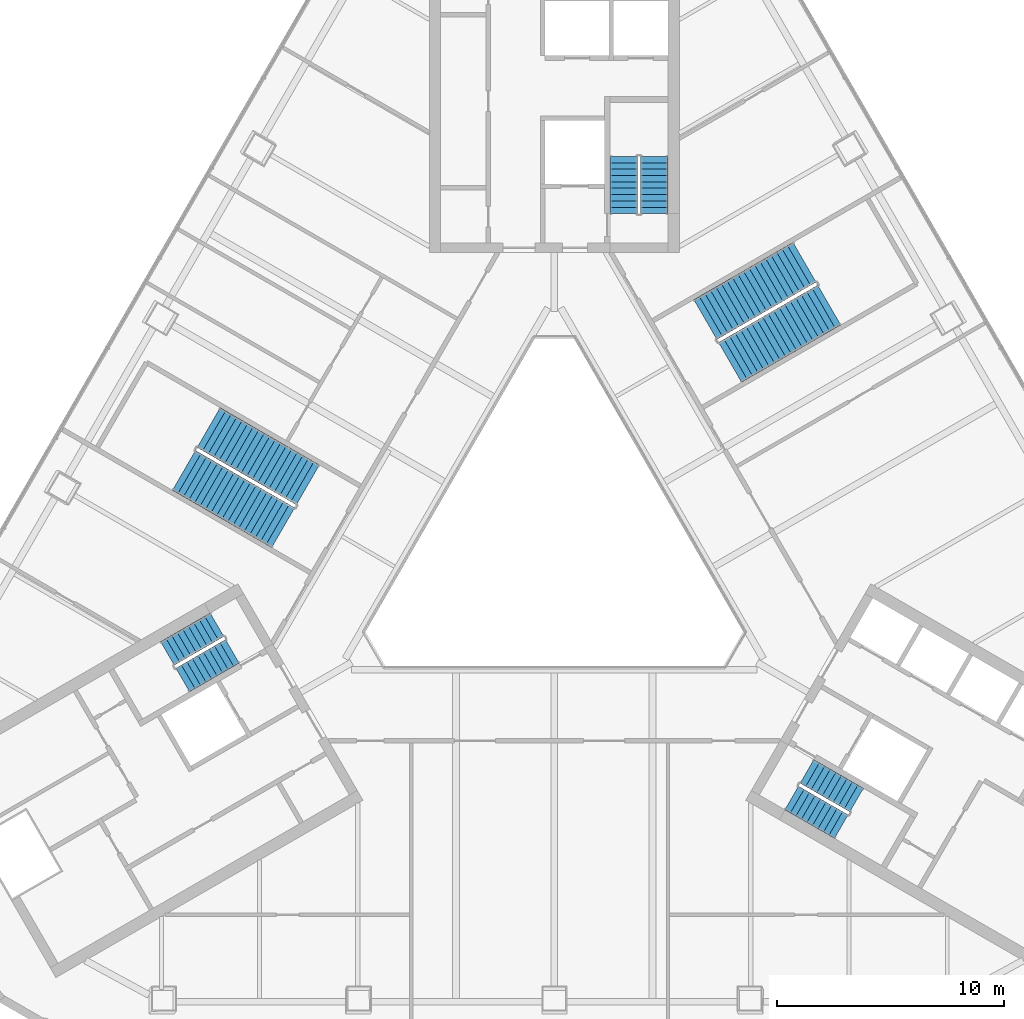
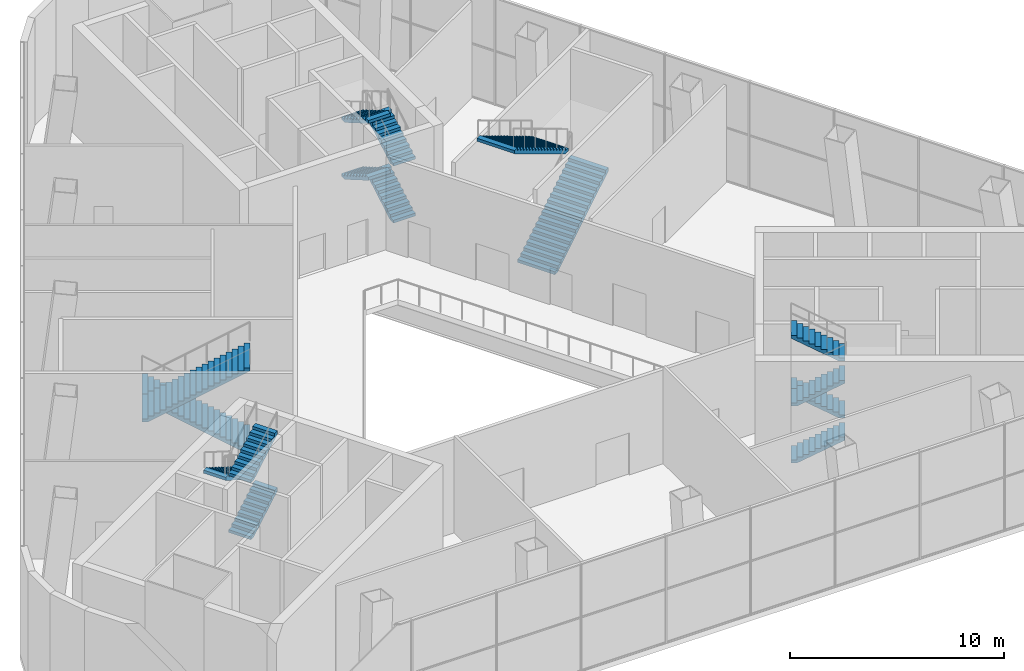
# One storey, part 14 of 17: 15 stair flights, 5 elements without a shape of their own.
"""IFC4 building model written with IfcOpenShell, lengths in metres."""

from ifc_helpers import new_model, si_unit, direction, frame, origin, place, context, subcontext, project, spatial, polyline, outline, extrude, material, type_object, element, aggregate, save


model = new_model("IFC4")

# Units and contexts
model_context = context("Model", 3, precision=1e-05, world=origin(), true_north=direction((0.0, 1.0)))
body_context = subcontext(model_context, "Body", "Model", "MODEL_VIEW")
ifc_project = project(units=[si_unit("LENGTHUNIT", "METRE"), si_unit("AREAUNIT", "SQUARE_METRE"), si_unit("VOLUMEUNIT", "CUBIC_METRE"), si_unit("PLANEANGLEUNIT", "RADIAN"), si_unit("MASSUNIT", "GRAM", prefix="KILO")], contexts=[model_context])

# Site, building, storey
site_placement = place(None, origin())
site = spatial("IfcSite", under=ifc_project, at=site_placement, CompositionType="ELEMENT")
building_placement = place(site_placement, origin())
building = spatial("IfcBuilding", under=site, at=building_placement, Name="Apuvela Tower Hotel", CompositionType="ELEMENT")
storey_placement = place(building_placement, frame((0.0, 0.0, 9.0)))
storey = spatial("IfcBuildingStorey", under=building, at=storey_placement, Name="L01", CompositionType="ELEMENT", Elevation=9.0)

# Stair, stair flights
ifc_material_1 = material(Name="Concrete C50/60", Category="concrete")
stair_type_1 = type_object("IfcStairType", Name="COR-STAIR-40R", PredefinedType="HALF_TURN_STAIR", material=ifc_material_1)
stair_1_placement = place(storey_placement, origin())
stair_1 = element("IfcStair", 1, at=stair_1_placement, inside=storey, type_object=stair_type_1, Name="L01 Exit stair ST1", PredefinedType="HALF_TURN_STAIR")
stair_flight_type_1 = type_object("IfcStairFlightType", Name="COR-FLIGHT-10R", PredefinedType="STRAIGHT", material=ifc_material_1)
stair_flight_1_placement = place(storey_placement, frame((4.39990234375, 14.60009765625, 0.0), z_axis=(0.0, 0.0, 1.0), x_axis=(0.0, 1.0, 0.0)))
stair_flight_1 = element("IfcStairFlight", 2, at=stair_flight_1_placement, type_object=stair_flight_type_1, Name="ST1 flight 1", NumberOfRisers=10, NumberOfTreads=9, PredefinedType="STRAIGHT", RiserHeight=0.1625, TreadLength=0.28, context=body_context, shape_type="SweptSolid", body=[
    extrude(outline(polyline([(0.0, 0.0), (0.0, 0.16259765625), (0.280029296875, 0.16259765625), (0.280029296875, 0.324951171875), (0.56005859375, 0.324951171875), (0.56005859375, 0.487548828125), (0.840087890625, 0.487548828125), (0.840087890625, 0.64990234375), (1.1201171875, 0.64990234375), (1.1201171875, 0.8125), (1.39990234375, 0.8125), (1.39990234375, 0.97509765625), (1.679931640625, 0.97509765625), (1.679931640625, 1.137451171875), (1.9599609375, 1.137451171875), (1.9599609375, 1.300048828125), (2.239990234375, 1.300048828125), (2.239990234375, 1.46240234375), (2.52001953125, 1.46240234375), (2.52001953125, 1.625), (2.52001953125, 1.2890625), (0.298583984375, 0.0), (0.0, 0.0)])), frame((0.0, 0.60009765625, 0.0), z_axis=(0.0, -1.0, 0.0), x_axis=(1.0, 0.0, 0.0)), (0.0, 0.0, 1.0), 1.199951171875),
])
stair_flight_2_placement = place(storey_placement, frame((3.050048828125, 17.1201171875, 1.625), z_axis=(0.0, 0.0, 1.0), x_axis=(0.0, -1.0, 0.0)))
stair_flight_2 = element("IfcStairFlight", 3, at=stair_flight_2_placement, type_object=stair_flight_type_1, Name="ST1 flight 2", NumberOfRisers=10, NumberOfTreads=9, PredefinedType="STRAIGHT", RiserHeight=0.1625, TreadLength=0.28, context=body_context, shape_type="SweptSolid", body=[
    extrude(outline(polyline([(0.0, 0.0), (0.0, 0.16259765625), (0.280029296875, 0.16259765625), (0.280029296875, 0.324951171875), (0.56005859375, 0.324951171875), (0.56005859375, 0.487548828125), (0.840087890625, 0.487548828125), (0.840087890625, 0.64990234375), (1.1201171875, 0.64990234375), (1.1201171875, 0.8125), (1.39990234375, 0.8125), (1.39990234375, 0.97509765625), (1.679931640625, 0.97509765625), (1.679931640625, 1.137451171875), (1.9599609375, 1.137451171875), (1.9599609375, 1.300048828125), (2.239990234375, 1.300048828125), (2.239990234375, 1.46240234375), (2.52001953125, 1.46240234375), (2.52001953125, 1.625), (2.52001953125, 1.2890625), (0.298583984375, 0.0), (0.0, 0.0)])), frame((0.0, 0.60009765625, 0.0), z_axis=(0.0, -1.0, 0.0), x_axis=(1.0, 0.0, 0.0)), (0.0, 0.0, 1.0), 1.199951171875),
])
stair_flight_3_placement = place(storey_placement, frame((4.39990234375, 14.60009765625, 3.25), z_axis=(0.0, 0.0, 1.0), x_axis=(0.0, 1.0, 0.0)))
stair_flight_3 = element("IfcStairFlight", 4, at=stair_flight_3_placement, type_object=stair_flight_type_1, Name="ST1 flight 3", NumberOfRisers=10, NumberOfTreads=9, PredefinedType="STRAIGHT", RiserHeight=0.1625, TreadLength=0.28, context=body_context, shape_type="SweptSolid", body=[
    extrude(outline(polyline([(0.0, 0.0), (0.0, 0.16259765625), (0.280029296875, 0.16259765625), (0.280029296875, 0.324951171875), (0.56005859375, 0.324951171875), (0.56005859375, 0.487548828125), (0.840087890625, 0.487548828125), (0.840087890625, 0.64990234375), (1.1201171875, 0.64990234375), (1.1201171875, 0.8125), (1.39990234375, 0.8125), (1.39990234375, 0.97509765625), (1.679931640625, 0.97509765625), (1.679931640625, 1.137451171875), (1.9599609375, 1.137451171875), (1.9599609375, 1.300048828125), (2.239990234375, 1.300048828125), (2.239990234375, 1.46240234375), (2.52001953125, 1.46240234375), (2.52001953125, 1.625), (2.52001953125, 1.2890625), (0.298583984375, 0.0), (0.0, 0.0)])), frame((0.0, 0.60009765625, 0.0), z_axis=(0.0, -1.0, 0.0), x_axis=(1.0, 0.0, 0.0)), (0.0, 0.0, 1.0), 1.199951171875),
])
stair_flight_4_placement = place(storey_placement, frame((3.050048828125, 17.1201171875, 4.875), z_axis=(0.0, 0.0, 1.0), x_axis=(0.0, -1.0, 0.0)))
stair_flight_4 = element("IfcStairFlight", 5, at=stair_flight_4_placement, type_object=stair_flight_type_1, Name="ST1 flight 4", NumberOfRisers=10, NumberOfTreads=9, PredefinedType="STRAIGHT", RiserHeight=0.1625, TreadLength=0.28, context=body_context, shape_type="SweptSolid", body=[
    extrude(outline(polyline([(0.0, 0.0), (0.0, 0.16259765625), (0.280029296875, 0.16259765625), (0.280029296875, 0.324951171875), (0.56005859375, 0.324951171875), (0.56005859375, 0.487548828125), (0.840087890625, 0.487548828125), (0.840087890625, 0.64990234375), (1.1201171875, 0.64990234375), (1.1201171875, 0.8125), (1.39990234375, 0.8125), (1.39990234375, 0.97509765625), (1.679931640625, 0.97509765625), (1.679931640625, 1.137451171875), (1.9599609375, 1.137451171875), (1.9599609375, 1.300048828125), (2.239990234375, 1.300048828125), (2.239990234375, 1.46240234375), (2.52001953125, 1.46240234375), (2.52001953125, 1.625), (2.52001953125, 1.2890625), (0.298583984375, 0.0), (0.0, 0.0)])), frame((0.0, 0.60009765625, 0.0), z_axis=(0.0, -1.0, 0.0), x_axis=(1.0, 0.0, 0.0)), (0.0, 0.0, 1.0), 1.199951171875),
])
aggregate(stair_1, [stair_flight_1, stair_flight_2, stair_flight_3, stair_flight_4])

stair_2_placement = place(storey_placement, origin())
stair_2 = element("IfcStair", 6, at=stair_2_placement, inside=storey, type_object=stair_type_1, Name="L01 Exit stair ST2", PredefinedType="HALF_TURN_STAIR")
stair_flight_5_placement = place(storey_placement, frame((-16.351318359375, -5.918701171875, 1.625), z_axis=(0.0, 0.0, 1.0), x_axis=(0.866025403784, 0.5, 0.0)))
stair_flight_5 = element("IfcStairFlight", 7, at=stair_flight_5_placement, type_object=stair_flight_type_1, Name="ST2 flight 2", NumberOfRisers=10, NumberOfTreads=9, PredefinedType="STRAIGHT", RiserHeight=0.1625, TreadLength=0.28, context=body_context, shape_type="SweptSolid", body=[
    extrude(outline(polyline([(0.0, 0.0), (0.0, 0.16259765625), (0.280029296875, 0.16259765625), (0.280029296875, 0.324951171875), (0.56005859375, 0.324951171875), (0.56005859375, 0.487548828125), (0.840087890625, 0.487548828125), (0.840087890625, 0.64990234375), (1.1201171875, 0.64990234375), (1.1201171875, 0.8125), (1.39990234375, 0.8125), (1.39990234375, 0.97509765625), (1.679931640625, 0.97509765625), (1.679931640625, 1.137451171875), (1.9599609375, 1.137451171875), (1.9599609375, 1.300048828125), (2.239990234375, 1.300048828125), (2.239990234375, 1.46240234375), (2.52001953125, 1.46240234375), (2.52001953125, 1.625), (2.52001953125, 1.2890625), (0.298583984375, 0.0), (0.0, 0.0)])), frame((0.0, 0.60009765625, 0.0), z_axis=(0.0, -1.0, 0.0), x_axis=(1.0, 0.0, 0.0)), (0.0, 0.0, 1.0), 1.199951171875),
])
stair_flight_6_placement = place(storey_placement, frame((-14.843994140625, -3.489501953125, 3.25), z_axis=(0.0, 0.0, 1.0), x_axis=(-0.866025403784, -0.5, 0.0)))
stair_flight_6 = element("IfcStairFlight", 8, at=stair_flight_6_placement, type_object=stair_flight_type_1, Name="ST2 flight 3", NumberOfRisers=10, NumberOfTreads=9, PredefinedType="STRAIGHT", RiserHeight=0.1625, TreadLength=0.28, context=body_context, shape_type="SweptSolid", body=[
    extrude(outline(polyline([(0.0, 0.0), (0.0, 0.16259765625), (0.280029296875, 0.16259765625), (0.280029296875, 0.324951171875), (0.56005859375, 0.324951171875), (0.56005859375, 0.487548828125), (0.840087890625, 0.487548828125), (0.840087890625, 0.64990234375), (1.1201171875, 0.64990234375), (1.1201171875, 0.8125), (1.39990234375, 0.8125), (1.39990234375, 0.97509765625), (1.679931640625, 0.97509765625), (1.679931640625, 1.137451171875), (1.9599609375, 1.137451171875), (1.9599609375, 1.300048828125), (2.239990234375, 1.300048828125), (2.239990234375, 1.46240234375), (2.52001953125, 1.46240234375), (2.52001953125, 1.625), (2.52001953125, 1.2890625), (0.298583984375, 0.0), (0.0, 0.0)])), frame((0.0, 0.60009765625, 0.0), z_axis=(0.0, -1.0, 0.0), x_axis=(1.0, 0.0, 0.0)), (0.0, 0.0, 1.0), 1.199951171875),
])
stair_flight_7_placement = place(storey_placement, frame((-16.351318359375, -5.918701171875, 4.875), z_axis=(0.0, 0.0, 1.0), x_axis=(0.866025403784, 0.5, 0.0)))
stair_flight_7 = element("IfcStairFlight", 9, at=stair_flight_7_placement, type_object=stair_flight_type_1, Name="ST2 flight 4", NumberOfRisers=10, NumberOfTreads=9, PredefinedType="STRAIGHT", RiserHeight=0.1625, TreadLength=0.28, context=body_context, shape_type="SweptSolid", body=[
    extrude(outline(polyline([(0.0, 0.0), (0.0, 0.16259765625), (0.280029296875, 0.16259765625), (0.280029296875, 0.324951171875), (0.56005859375, 0.324951171875), (0.56005859375, 0.487548828125), (0.840087890625, 0.487548828125), (0.840087890625, 0.64990234375), (1.1201171875, 0.64990234375), (1.1201171875, 0.8125), (1.39990234375, 0.8125), (1.39990234375, 0.97509765625), (1.679931640625, 0.97509765625), (1.679931640625, 1.137451171875), (1.9599609375, 1.137451171875), (1.9599609375, 1.300048828125), (2.239990234375, 1.300048828125), (2.239990234375, 1.46240234375), (2.52001953125, 1.46240234375), (2.52001953125, 1.625), (2.52001953125, 1.2890625), (0.298583984375, 0.0), (0.0, 0.0)])), frame((0.0, 0.60009765625, 0.0), z_axis=(0.0, -1.0, 0.0), x_axis=(1.0, 0.0, 0.0)), (0.0, 0.0, 1.0), 1.199951171875),
])
aggregate(stair_2, [stair_flight_5, stair_flight_6, stair_flight_7])

stair_3_placement = place(storey_placement, origin())
stair_3 = element("IfcStair", 10, at=stair_3_placement, inside=storey, type_object=stair_type_1, Name="L01 Exit stair ST3", PredefinedType="HALF_TURN_STAIR")
stair_flight_8_placement = place(storey_placement, frame((10.444091796875, -11.110595703125, 0.0), z_axis=(0.0, 0.0, 1.0), x_axis=(0.866025403784, -0.5, 0.0)))
stair_flight_8 = element("IfcStairFlight", 11, at=stair_flight_8_placement, type_object=stair_flight_type_1, Name="ST3 flight 1", NumberOfRisers=10, NumberOfTreads=9, PredefinedType="STRAIGHT", RiserHeight=0.1625, TreadLength=0.28, context=body_context, shape_type="SweptSolid", body=[
    extrude(outline(polyline([(0.0, 0.0), (0.0, 0.16259765625), (0.280029296875, 0.16259765625), (0.280029296875, 0.324951171875), (0.56005859375, 0.324951171875), (0.56005859375, 0.487548828125), (0.840087890625, 0.487548828125), (0.840087890625, 0.64990234375), (1.1201171875, 0.64990234375), (1.1201171875, 0.8125), (1.39990234375, 0.8125), (1.39990234375, 0.97509765625), (1.679931640625, 0.97509765625), (1.679931640625, 1.137451171875), (1.9599609375, 1.137451171875), (1.9599609375, 1.300048828125), (2.239990234375, 1.300048828125), (2.239990234375, 1.46240234375), (2.52001953125, 1.46240234375), (2.52001953125, 1.625), (2.52001953125, 1.2890625), (0.298583984375, 0.0), (0.0, 0.0)])), frame((0.0, 0.60009765625, 0.0), z_axis=(0.0, -1.0, 0.0), x_axis=(1.0, 0.0, 0.0)), (0.0, 0.0, 1.0), 1.199951171875),
])
stair_flight_9_placement = place(storey_placement, frame((13.30126953125, -11.201416015625, 1.625), z_axis=(0.0, 0.0, 1.0), x_axis=(-0.866025403784, 0.5, 0.0)))
stair_flight_9 = element("IfcStairFlight", 12, at=stair_flight_9_placement, type_object=stair_flight_type_1, Name="ST3 flight 2", NumberOfRisers=10, NumberOfTreads=9, PredefinedType="STRAIGHT", RiserHeight=0.1625, TreadLength=0.28, context=body_context, shape_type="SweptSolid", body=[
    extrude(outline(polyline([(0.0, 0.0), (0.0, 0.16259765625), (0.280029296875, 0.16259765625), (0.280029296875, 0.324951171875), (0.56005859375, 0.324951171875), (0.56005859375, 0.487548828125), (0.840087890625, 0.487548828125), (0.840087890625, 0.64990234375), (1.1201171875, 0.64990234375), (1.1201171875, 0.8125), (1.39990234375, 0.8125), (1.39990234375, 0.97509765625), (1.679931640625, 0.97509765625), (1.679931640625, 1.137451171875), (1.9599609375, 1.137451171875), (1.9599609375, 1.300048828125), (2.239990234375, 1.300048828125), (2.239990234375, 1.46240234375), (2.52001953125, 1.46240234375), (2.52001953125, 1.625), (2.52001953125, 1.2890625), (0.298583984375, 0.0), (0.0, 0.0)])), frame((0.0, 0.60009765625, 0.0), z_axis=(0.0, -1.0, 0.0), x_axis=(1.0, 0.0, 0.0)), (0.0, 0.0, 1.0), 1.199951171875),
])
stair_flight_10_placement = place(storey_placement, frame((10.444091796875, -11.110595703125, 3.25), z_axis=(0.0, 0.0, 1.0), x_axis=(0.866025403784, -0.5, 0.0)))
stair_flight_10 = element("IfcStairFlight", 13, at=stair_flight_10_placement, type_object=stair_flight_type_1, Name="ST3 flight 3", NumberOfRisers=10, NumberOfTreads=9, PredefinedType="STRAIGHT", RiserHeight=0.1625, TreadLength=0.28, context=body_context, shape_type="SweptSolid", body=[
    extrude(outline(polyline([(0.0, 0.0), (0.0, 0.16259765625), (0.280029296875, 0.16259765625), (0.280029296875, 0.324951171875), (0.56005859375, 0.324951171875), (0.56005859375, 0.487548828125), (0.840087890625, 0.487548828125), (0.840087890625, 0.64990234375), (1.1201171875, 0.64990234375), (1.1201171875, 0.8125), (1.39990234375, 0.8125), (1.39990234375, 0.97509765625), (1.679931640625, 0.97509765625), (1.679931640625, 1.137451171875), (1.9599609375, 1.137451171875), (1.9599609375, 1.300048828125), (2.239990234375, 1.300048828125), (2.239990234375, 1.46240234375), (2.52001953125, 1.46240234375), (2.52001953125, 1.625), (2.52001953125, 1.2890625), (0.298583984375, 0.0), (0.0, 0.0)])), frame((0.0, 0.60009765625, 0.0), z_axis=(0.0, -1.0, 0.0), x_axis=(1.0, 0.0, 0.0)), (0.0, 0.0, 1.0), 1.199951171875),
])
stair_flight_11_placement = place(storey_placement, frame((13.30126953125, -11.201416015625, 4.875), z_axis=(0.0, 0.0, 1.0), x_axis=(-0.866025403784, 0.5, 0.0)))
stair_flight_11 = element("IfcStairFlight", 14, at=stair_flight_11_placement, type_object=stair_flight_type_1, Name="ST3 flight 4", NumberOfRisers=10, NumberOfTreads=9, PredefinedType="STRAIGHT", RiserHeight=0.1625, TreadLength=0.28, context=body_context, shape_type="SweptSolid", body=[
    extrude(outline(polyline([(0.0, 0.0), (0.0, 0.16259765625), (0.280029296875, 0.16259765625), (0.280029296875, 0.324951171875), (0.56005859375, 0.324951171875), (0.56005859375, 0.487548828125), (0.840087890625, 0.487548828125), (0.840087890625, 0.64990234375), (1.1201171875, 0.64990234375), (1.1201171875, 0.8125), (1.39990234375, 0.8125), (1.39990234375, 0.97509765625), (1.679931640625, 0.97509765625), (1.679931640625, 1.137451171875), (1.9599609375, 1.137451171875), (1.9599609375, 1.300048828125), (2.239990234375, 1.300048828125), (2.239990234375, 1.46240234375), (2.52001953125, 1.46240234375), (2.52001953125, 1.625), (2.52001953125, 1.2890625), (0.298583984375, 0.0), (0.0, 0.0)])), frame((0.0, 0.60009765625, 0.0), z_axis=(0.0, -1.0, 0.0), x_axis=(1.0, 0.0, 0.0)), (0.0, 0.0, 1.0), 1.199951171875),
])
aggregate(stair_3, [stair_flight_8, stair_flight_9, stair_flight_10, stair_flight_11])

ifc_material_2 = material(Name="Concrete C40/50", Category="concrete")
stair_type_2 = type_object("IfcStairType", Name="SPC-STAIR-PS", PredefinedType="HALF_TURN_STAIR", material=ifc_material_2)
stair_4_placement = place(storey_placement, origin())
stair_4 = element("IfcStair", 15, at=stair_4_placement, inside=storey, type_object=stair_type_2, Name="L01 Protected exit stair PS1", PredefinedType="HALF_TURN_STAIR")
stair_flight_type_2 = type_object("IfcStairFlightType", Name="SPC-FLIGHT-PS", PredefinedType="STRAIGHT", material=ifc_material_2)
stair_flight_12_placement = place(storey_placement, frame((7.73193359375, 8.05810546875, 0.0), z_axis=(0.0, 0.0, 1.0), x_axis=(0.866025403784, 0.5, 0.0)))
stair_flight_12 = element("IfcStairFlight", 16, at=stair_flight_12_placement, type_object=stair_flight_type_2, Name="PS1 flight 1", NumberOfRisers=19, NumberOfTreads=18, PredefinedType="STRAIGHT", RiserHeight=0.171052632, TreadLength=0.28, context=body_context, shape_type="SweptSolid", body=[
    extrude(outline(polyline([(0.0, 0.0), (0.0, 0.171142578125), (0.280029296875, 0.171142578125), (0.280029296875, 0.342041015625), (0.56005859375, 0.342041015625), (0.56005859375, 0.51318359375), (0.840087890625, 0.51318359375), (0.840087890625, 0.684326171875), (1.1201171875, 0.684326171875), (1.1201171875, 0.855224609375), (1.39990234375, 0.855224609375), (1.39990234375, 1.0263671875), (1.679931640625, 1.0263671875), (1.679931640625, 1.197265625), (1.9599609375, 1.197265625), (1.9599609375, 1.368408203125), (2.239990234375, 1.368408203125), (2.239990234375, 1.53955078125), (2.52001953125, 1.53955078125), (2.52001953125, 1.71044921875), (2.800048828125, 1.71044921875), (2.800048828125, 1.881591796875), (3.080078125, 1.881591796875), (3.080078125, 2.052734375), (3.360107421875, 2.052734375), (3.360107421875, 2.2236328125), (3.639892578125, 2.2236328125), (3.639892578125, 2.394775390625), (3.919921875, 2.394775390625), (3.919921875, 2.565673828125), (4.199951171875, 2.565673828125), (4.199951171875, 2.73681640625), (4.47998046875, 2.73681640625), (4.47998046875, 2.907958984375), (4.760009765625, 2.907958984375), (4.760009765625, 3.078857421875), (5.0400390625, 3.078857421875), (5.0400390625, 3.25), (5.0400390625, 2.9033203125), (0.28759765625, 0.0), (0.0, 0.0)])), frame((0.0, 1.012451171875, 0.0), z_axis=(0.0, -1.0, 0.0), x_axis=(1.0, 0.0, 0.0)), (0.0, 0.0, 1.0), 2.02490234375),
])
stair_flight_13_placement = place(storey_placement, frame((11.009033203125, 12.461669921875, 3.25), z_axis=(0.0, 0.0, 1.0), x_axis=(-0.866025403784, -0.5, 0.0)))
stair_flight_13 = element("IfcStairFlight", 17, at=stair_flight_13_placement, type_object=stair_flight_type_2, Name="PS1 flight 2", NumberOfRisers=19, NumberOfTreads=18, PredefinedType="STRAIGHT", RiserHeight=0.171052632, TreadLength=0.28, context=body_context, shape_type="SweptSolid", body=[
    extrude(outline(polyline([(0.0, 0.0), (0.0, 0.171142578125), (0.280029296875, 0.171142578125), (0.280029296875, 0.342041015625), (0.56005859375, 0.342041015625), (0.56005859375, 0.51318359375), (0.840087890625, 0.51318359375), (0.840087890625, 0.684326171875), (1.1201171875, 0.684326171875), (1.1201171875, 0.855224609375), (1.39990234375, 0.855224609375), (1.39990234375, 1.0263671875), (1.679931640625, 1.0263671875), (1.679931640625, 1.197265625), (1.9599609375, 1.197265625), (1.9599609375, 1.368408203125), (2.239990234375, 1.368408203125), (2.239990234375, 1.53955078125), (2.52001953125, 1.53955078125), (2.52001953125, 1.71044921875), (2.800048828125, 1.71044921875), (2.800048828125, 1.881591796875), (3.080078125, 1.881591796875), (3.080078125, 2.052734375), (3.360107421875, 2.052734375), (3.360107421875, 2.2236328125), (3.639892578125, 2.2236328125), (3.639892578125, 2.394775390625), (3.919921875, 2.394775390625), (3.919921875, 2.565673828125), (4.199951171875, 2.565673828125), (4.199951171875, 2.73681640625), (4.47998046875, 2.73681640625), (4.47998046875, 2.907958984375), (4.760009765625, 2.907958984375), (4.760009765625, 3.078857421875), (5.0400390625, 3.078857421875), (5.0400390625, 3.25), (5.0400390625, 2.9033203125), (0.28759765625, 0.0), (0.0, 0.0)])), frame((0.0, 1.012451171875, 0.0), z_axis=(0.0, -1.0, 0.0), x_axis=(1.0, 0.0, 0.0)), (0.0, 0.0, 1.0), 2.02490234375),
])
aggregate(stair_4, [stair_flight_12, stair_flight_13])

stair_5_placement = place(storey_placement, origin())
stair_5 = element("IfcStair", 18, at=stair_5_placement, inside=storey, type_object=stair_type_2, Name="L01 Protected exit stair PS2", PredefinedType="HALF_TURN_STAIR")
stair_flight_14_placement = place(storey_placement, frame((-10.844482421875, 2.6669921875, 0.0), z_axis=(0.0, 0.0, 1.0), x_axis=(-0.866025403784, 0.5, 0.0)))
stair_flight_14 = element("IfcStairFlight", 19, at=stair_flight_14_placement, type_object=stair_flight_type_2, Name="PS2 flight 1", NumberOfRisers=19, NumberOfTreads=18, PredefinedType="STRAIGHT", RiserHeight=0.171052632, TreadLength=0.28, context=body_context, shape_type="SweptSolid", body=[
    extrude(outline(polyline([(0.0, 0.0), (0.0, 0.171142578125), (0.280029296875, 0.171142578125), (0.280029296875, 0.342041015625), (0.56005859375, 0.342041015625), (0.56005859375, 0.51318359375), (0.840087890625, 0.51318359375), (0.840087890625, 0.684326171875), (1.1201171875, 0.684326171875), (1.1201171875, 0.855224609375), (1.39990234375, 0.855224609375), (1.39990234375, 1.0263671875), (1.679931640625, 1.0263671875), (1.679931640625, 1.197265625), (1.9599609375, 1.197265625), (1.9599609375, 1.368408203125), (2.239990234375, 1.368408203125), (2.239990234375, 1.53955078125), (2.52001953125, 1.53955078125), (2.52001953125, 1.71044921875), (2.800048828125, 1.71044921875), (2.800048828125, 1.881591796875), (3.080078125, 1.881591796875), (3.080078125, 2.052734375), (3.360107421875, 2.052734375), (3.360107421875, 2.2236328125), (3.639892578125, 2.2236328125), (3.639892578125, 2.394775390625), (3.919921875, 2.394775390625), (3.919921875, 2.565673828125), (4.199951171875, 2.565673828125), (4.199951171875, 2.73681640625), (4.47998046875, 2.73681640625), (4.47998046875, 2.907958984375), (4.760009765625, 2.907958984375), (4.760009765625, 3.078857421875), (5.0400390625, 3.078857421875), (5.0400390625, 3.25), (5.0400390625, 2.9033203125), (0.28759765625, 0.0), (0.0, 0.0)])), frame((0.0, 1.012451171875, 0.0), z_axis=(0.0, -1.0, 0.0), x_axis=(1.0, 0.0, 0.0)), (0.0, 0.0, 1.0), 2.02490234375),
])
stair_flight_15_placement = place(storey_placement, frame((-16.296630859375, 3.303466796875, 3.25), z_axis=(0.0, 0.0, 1.0), x_axis=(0.866025403784, -0.5, 0.0)))
stair_flight_15 = element("IfcStairFlight", 20, at=stair_flight_15_placement, type_object=stair_flight_type_2, Name="PS2 flight 2", NumberOfRisers=19, NumberOfTreads=18, PredefinedType="STRAIGHT", RiserHeight=0.171052632, TreadLength=0.28, context=body_context, shape_type="SweptSolid", body=[
    extrude(outline(polyline([(0.0, 0.0), (0.0, 0.171142578125), (0.280029296875, 0.171142578125), (0.280029296875, 0.342041015625), (0.56005859375, 0.342041015625), (0.56005859375, 0.51318359375), (0.840087890625, 0.51318359375), (0.840087890625, 0.684326171875), (1.1201171875, 0.684326171875), (1.1201171875, 0.855224609375), (1.39990234375, 0.855224609375), (1.39990234375, 1.0263671875), (1.679931640625, 1.0263671875), (1.679931640625, 1.197265625), (1.9599609375, 1.197265625), (1.9599609375, 1.368408203125), (2.239990234375, 1.368408203125), (2.239990234375, 1.53955078125), (2.52001953125, 1.53955078125), (2.52001953125, 1.71044921875), (2.800048828125, 1.71044921875), (2.800048828125, 1.881591796875), (3.080078125, 1.881591796875), (3.080078125, 2.052734375), (3.360107421875, 2.052734375), (3.360107421875, 2.2236328125), (3.639892578125, 2.2236328125), (3.639892578125, 2.394775390625), (3.919921875, 2.394775390625), (3.919921875, 2.565673828125), (4.199951171875, 2.565673828125), (4.199951171875, 2.73681640625), (4.47998046875, 2.73681640625), (4.47998046875, 2.907958984375), (4.760009765625, 2.907958984375), (4.760009765625, 3.078857421875), (5.0400390625, 3.078857421875), (5.0400390625, 3.25), (5.0400390625, 2.9033203125), (0.28759765625, 0.0), (0.0, 0.0)])), frame((0.0, 1.012451171875, 0.0), z_axis=(0.0, -1.0, 0.0), x_axis=(1.0, 0.0, 0.0)), (0.0, 0.0, 1.0), 2.02490234375),
])
aggregate(stair_5, [stair_flight_14, stair_flight_15])

save(model, "model.ifc")
